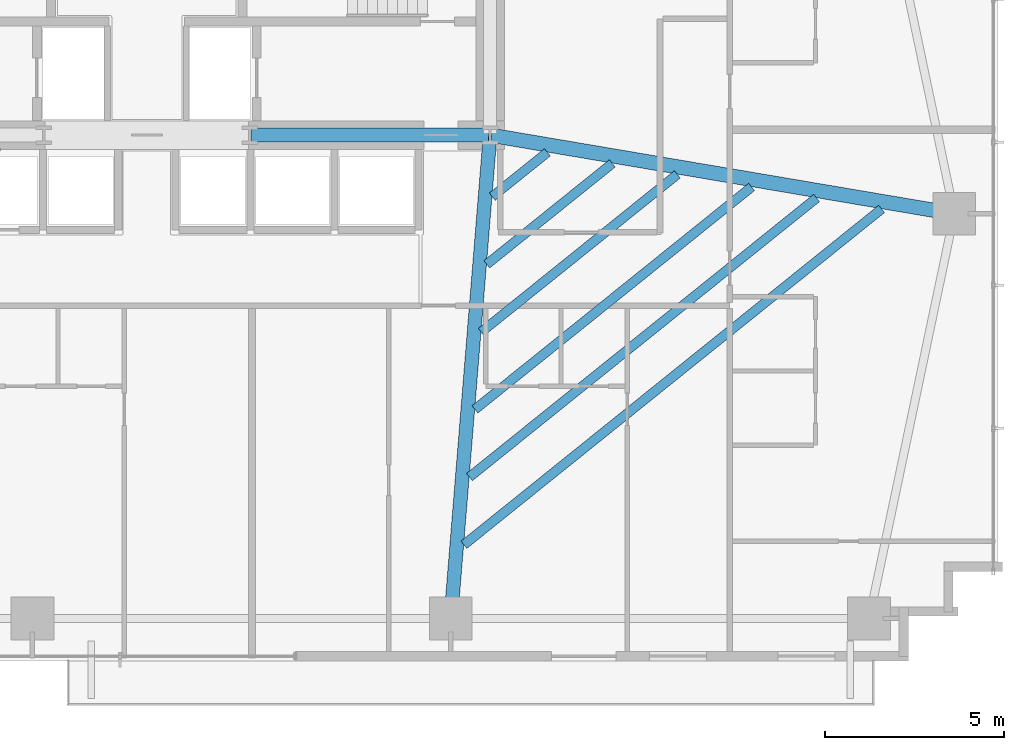
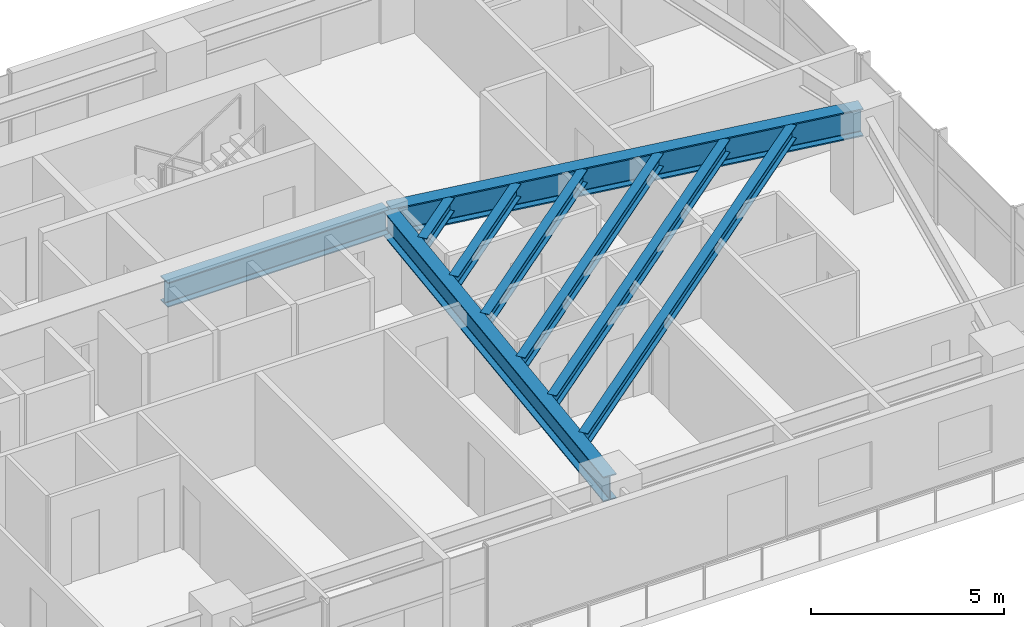
# One storey, part 13 of 25: 9 beams.
"""IFC4 building model written with IfcOpenShell, lengths in metres."""

from ifc_helpers import new_model, si_unit, direction, frame, origin, origin_2d, place, context, subcontext, project, spatial, i_section, extrude, source, transform, mapped, material, material_profile, profile_set, type_object, type_shapes, element, save


model = new_model("IFC4")

# Units and contexts
model_context = context("Model", 3, precision=1e-05, world=origin(), true_north=direction((0.0, 1.0)))
body_context = subcontext(model_context, "Body", "Model", "MODEL_VIEW")
ifc_project = project(units=[si_unit("LENGTHUNIT", "METRE"), si_unit("AREAUNIT", "SQUARE_METRE"), si_unit("VOLUMEUNIT", "CUBIC_METRE"), si_unit("PLANEANGLEUNIT", "RADIAN"), si_unit("MASSUNIT", "GRAM", prefix="KILO")], contexts=[model_context])

# Site, building, storey
site_placement = place(None, origin())
site = spatial("IfcSite", under=ifc_project, at=site_placement, CompositionType="ELEMENT")
building_placement = place(site_placement, origin())
building = spatial("IfcBuilding", under=site, at=building_placement, Name="Astriad Promenade Condominiums", CompositionType="ELEMENT")
storey_placement = place(building_placement, frame((0.0, 0.0, 45.39990234375)))
storey = spatial("IfcBuildingStorey", under=building, at=storey_placement, Name="L12", CompositionType="ELEMENT", Elevation=45.39990234375)

# Beams
ifc_material = material(Name="Steel ASTM A992 Grade 50", Category="steel")
ifc_material_profile_1 = material_profile(ifc_material, i_section(OverallWidth=0.3837890625, OverallDepth=0.785888671875, WebThickness=0.019775390625, FlangeThickness=0.033447265625, FilletRadius=0.021484375, at=origin_2d()), Name="W30X211")
ifc_profile_set_1 = profile_set([ifc_material_profile_1], Name="Steel ASTM A992 Grade 50")
beam_type_1 = type_object("IfcBeamType", Name="STEEL FLOOR GIRDER W30X211", PredefinedType="BEAM", material=ifc_profile_set_1)
shared_shape_1 = source(origin(), body_context, "Body", "SweptSolid", [
    extrude(i_section(OverallWidth=0.3837890625, OverallDepth=0.785888671875, WebThickness=0.019775390625, FlangeThickness=0.033447265625, FilletRadius=0.021484375, at=origin_2d()), origin(), (0.0, 0.0, 1.0), 6.64013671875),
])
beam_1_placement = place(storey_placement, frame((38.919921875, 17.39990234375, 2.547119140625), z_axis=(1.0, 0.0, 0.0), x_axis=(0.0, 1.0, 0.0)))
element("IfcBeam", 1, at=beam_1_placement, inside=storey, type_object=beam_type_1, Name="Core Ring Beam CG-S3-L12", PredefinedType="BEAM", context=body_context, shape_type="MappedRepresentation", body=[
    mapped(shared_shape_1, transform((0.0, 0.0, 0.0), scale=1.0)),
])
shared_shape_2 = source(origin(), body_context, "Body", "SweptSolid", [
    extrude(i_section(OverallWidth=0.3837890625, OverallDepth=0.785888671875, WebThickness=0.019775390625, FlangeThickness=0.033447265625, FilletRadius=0.021484375, at=origin_2d()), origin(), (0.0, 0.0, 1.0), 13.484619140625),
])
type_shapes(beam_type_1, [shared_shape_1, shared_shape_2])
beam_2_placement = place(storey_placement, frame((44.503173828125, 3.919921875, 2.547119140625), z_axis=(0.081092961134, 0.996706542396, 0.0), x_axis=(-0.996706542396, 0.081092961134, 0.0)))
element("IfcBeam", 2, at=beam_2_placement, inside=storey, type_object=beam_type_1, Name="Primary Floor Girder PG-E2-L12", PredefinedType="BEAM", context=body_context, shape_type="MappedRepresentation", body=[
    mapped(shared_shape_2, transform((0.0, 0.0, 0.0), scale=1.0)),
])
ifc_material_profile_2 = material_profile(ifc_material, i_section(OverallWidth=0.4013671875, OverallDepth=0.877197265625, WebThickness=0.022216796875, FlangeThickness=0.039794921875, FilletRadius=0.02294921875, at=origin_2d()), Name="W33X263")
ifc_profile_set_2 = profile_set([ifc_material_profile_2], Name="Steel ASTM A992 Grade 50")
beam_type_2 = type_object("IfcBeamType", Name="STEEL PRIMARY GIRDER W33X263", PredefinedType="BEAM", material=ifc_profile_set_2)
shared_shape_3 = source(origin(), body_context, "Body", "SweptSolid", [
    extrude(i_section(OverallWidth=0.4013671875, OverallDepth=0.877197265625, WebThickness=0.022216796875, FlangeThickness=0.039794921875, FilletRadius=0.02294921875, at=origin_2d()), origin(), (0.0, 0.0, 1.0), 13.085205078125),
])
type_shapes(beam_type_2, [shared_shape_3])
beam_3_placement = place(storey_placement, frame((58.54052734375, 15.206787109375, 2.501708984375), z_axis=(-0.985939912267, 0.167100237577, 0.0), x_axis=(-0.167100237577, -0.985939912267, 0.0)))
element("IfcBeam", 3, at=beam_3_placement, inside=storey, type_object=beam_type_2, Name="Primary Floor Girder PG-EM-L12", PredefinedType="BEAM", context=body_context, shape_type="MappedRepresentation", body=[
    mapped(shared_shape_3, transform((0.0, 0.0, 0.0), scale=1.0)),
])
ifc_material_profile_3 = material_profile(ifc_material, i_section(OverallWidth=0.26318359375, OverallDepth=0.425537109375, WebThickness=0.01318359375, FlangeThickness=0.022216796875, FilletRadius=0.013916015625, at=origin_2d()), Name="W16X89")
ifc_profile_set_3 = profile_set([ifc_material_profile_3], Name="Steel ASTM A992 Grade 50")
beam_type_3 = type_object("IfcBeamType", Name="STEEL FLOOR JOIST W16X89", PredefinedType="JOIST", material=ifc_profile_set_3)
shared_shape_4 = source(origin(), body_context, "Body", "SweptSolid", [
    extrude(i_section(OverallWidth=0.26318359375, OverallDepth=0.425537109375, WebThickness=0.01318359375, FlangeThickness=0.022216796875, FilletRadius=0.013916015625, at=origin_2d()), origin(), (0.0, 0.0, 1.0), 14.984375),
])
beam_4_placement = place(storey_placement, frame((44.867919921875, 5.944580078125, 2.727294921875), z_axis=(0.77934368876, 0.626596692291, 0.0), x_axis=(-0.626596692291, 0.77934368876, 0.0)))
element("IfcBeam", 4, at=beam_4_placement, inside=storey, type_object=beam_type_3, Name="Secondary Composite Floor Joist JE1-1-L12", PredefinedType="JOIST", context=body_context, shape_type="MappedRepresentation", body=[
    mapped(shared_shape_4, transform((0.0, 0.0, 0.0), scale=1.0)),
])
shared_shape_5 = source(origin(), body_context, "Body", "SweptSolid", [
    extrude(i_section(OverallWidth=0.26318359375, OverallDepth=0.425537109375, WebThickness=0.01318359375, FlangeThickness=0.022216796875, FilletRadius=0.013916015625, at=origin_2d()), origin(), (0.0, 0.0, 1.0), 12.455078125),
])
beam_5_placement = place(storey_placement, frame((45.021728515625, 7.83740234375, 2.727294921875), z_axis=(0.77935577594, 0.626581658292, 0.0), x_axis=(-0.626581658292, 0.77935577594, 0.0)))
element("IfcBeam", 5, at=beam_5_placement, inside=storey, type_object=beam_type_3, Name="Secondary Composite Floor Joist JE1-2-L12", PredefinedType="JOIST", context=body_context, shape_type="MappedRepresentation", body=[
    mapped(shared_shape_5, transform((0.0, 0.0, 0.0), scale=1.0)),
])
shared_shape_6 = source(origin(), body_context, "Body", "SweptSolid", [
    extrude(i_section(OverallWidth=0.26318359375, OverallDepth=0.425537109375, WebThickness=0.01318359375, FlangeThickness=0.022216796875, FilletRadius=0.013916015625, at=origin_2d()), origin(), (0.0, 0.0, 1.0), 9.926025390625),
])
beam_6_placement = place(storey_placement, frame((45.17578125, 9.730224609375, 2.727294921875), z_axis=(0.779352355084, 0.626585913203, 0.0), x_axis=(-0.626585913203, 0.779352355084, 0.0)))
element("IfcBeam", 6, at=beam_6_placement, inside=storey, type_object=beam_type_3, Name="Secondary Composite Floor Joist JE1-3-L12", PredefinedType="JOIST", context=body_context, shape_type="MappedRepresentation", body=[
    mapped(shared_shape_6, transform((0.0, 0.0, 0.0), scale=1.0)),
])
shared_shape_7 = source(origin(), body_context, "Body", "SweptSolid", [
    extrude(i_section(OverallWidth=0.26318359375, OverallDepth=0.425537109375, WebThickness=0.01318359375, FlangeThickness=0.022216796875, FilletRadius=0.013916015625, at=origin_2d()), origin(), (0.0, 0.0, 1.0), 7.03515625),
])
beam_7_placement = place(storey_placement, frame((45.351806640625, 11.8935546875, 2.727294921875), z_axis=(0.779349752639, 0.626589150131, 0.0), x_axis=(-0.626589150131, 0.779349752639, 0.0)))
element("IfcBeam", 7, at=beam_7_placement, inside=storey, type_object=beam_type_3, Name="Secondary Composite Floor Joist JE1-4-L12", PredefinedType="JOIST", context=body_context, shape_type="MappedRepresentation", body=[
    mapped(shared_shape_7, transform((0.0, 0.0, 0.0), scale=1.0)),
])
shared_shape_8 = source(origin(), body_context, "Body", "SweptSolid", [
    extrude(i_section(OverallWidth=0.26318359375, OverallDepth=0.425537109375, WebThickness=0.01318359375, FlangeThickness=0.022216796875, FilletRadius=0.013916015625, at=origin_2d()), origin(), (0.0, 0.0, 1.0), 4.505859375),
])
beam_8_placement = place(storey_placement, frame((45.505859375, 13.786376953125, 2.727294921875), z_axis=(0.779365294733, 0.626569818429, 0.0), x_axis=(-0.626569818429, 0.779365294733, 0.0)))
element("IfcBeam", 8, at=beam_8_placement, inside=storey, type_object=beam_type_3, Name="Secondary Composite Floor Joist JE1-5-L12", PredefinedType="JOIST", context=body_context, shape_type="MappedRepresentation", body=[
    mapped(shared_shape_8, transform((0.0, 0.0, 0.0), scale=1.0)),
])
shared_shape_9 = source(origin(), body_context, "Body", "SweptSolid", [
    extrude(i_section(OverallWidth=0.26318359375, OverallDepth=0.425537109375, WebThickness=0.01318359375, FlangeThickness=0.022216796875, FilletRadius=0.013916015625, at=origin_2d()), origin(), (0.0, 0.0, 1.0), 1.9765625),
])
type_shapes(beam_type_3, [shared_shape_4, shared_shape_5, shared_shape_6, shared_shape_7, shared_shape_8, shared_shape_9])
beam_9_placement = place(storey_placement, frame((45.659912109375, 15.67919921875, 2.727294921875), z_axis=(0.77936029648, 0.626576035506, 0.0), x_axis=(-0.626576035506, 0.77936029648, 0.0)))
element("IfcBeam", 9, at=beam_9_placement, inside=storey, type_object=beam_type_3, Name="Secondary Composite Floor Joist JE1-6-L12", PredefinedType="JOIST", context=body_context, shape_type="MappedRepresentation", body=[
    mapped(shared_shape_9, transform((0.0, 0.0, 0.0), scale=1.0)),
])

save(model, "model.ifc")
